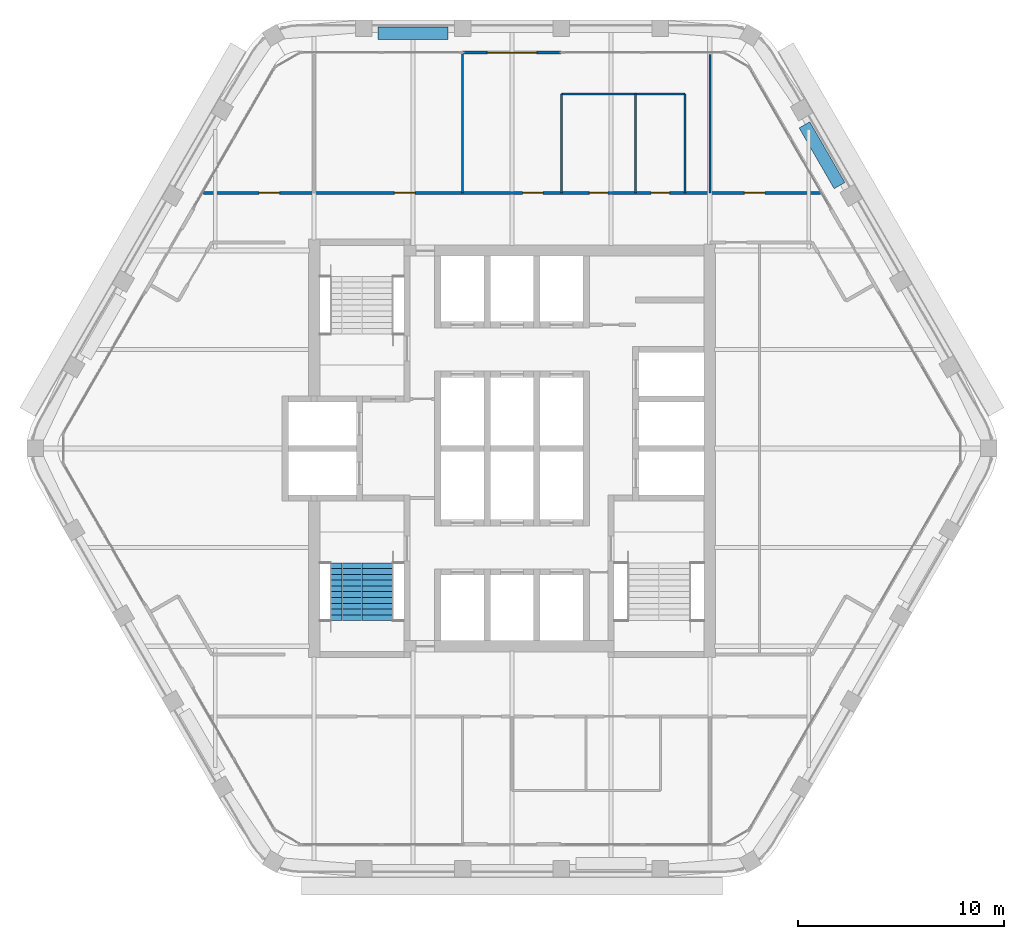
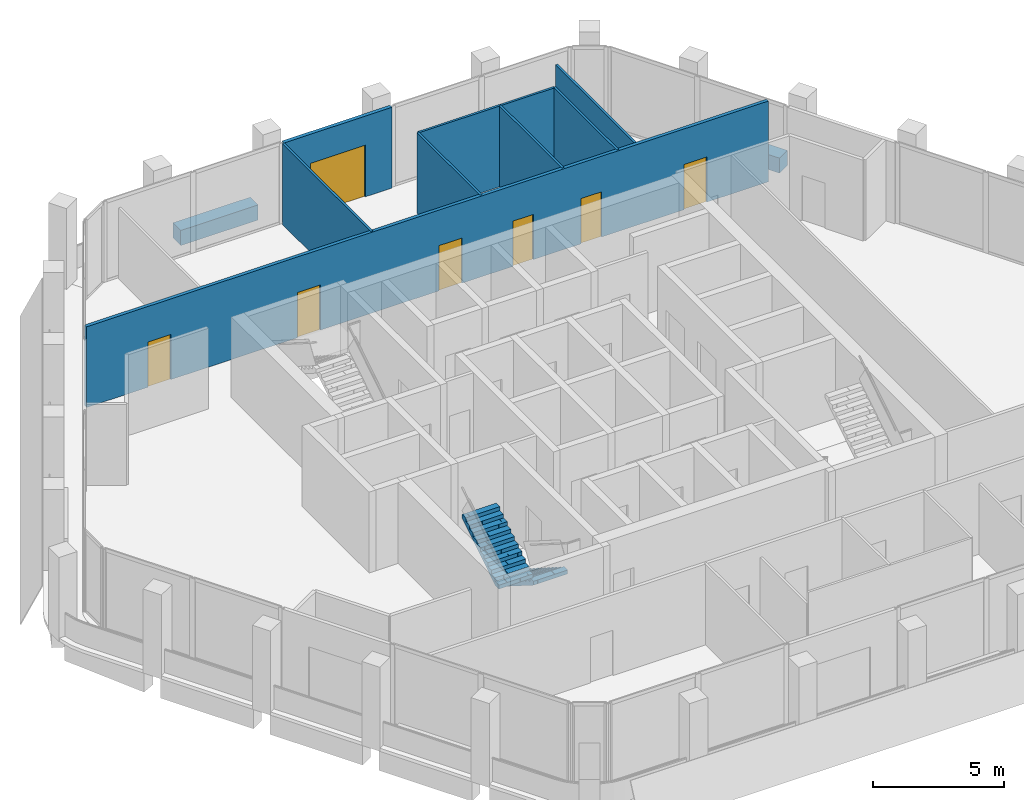
# One storey, part 10 of 13: 10 walls, 7 doors, 2 stair flights, 7 openings, 1 element without a shape of its own.
"""IFC4 building model written with IfcOpenShell, lengths in metres."""

from ifc_helpers import new_model, si_unit, direction, frame, frame_2d, origin, place, context, subcontext, project, spatial, polyline, rectangle, outline, extrude, material, layer, layer_set, type_object, element, fill, aggregate, save


model = new_model("IFC4")

# Units and contexts
model_context = context("Model", 3, precision=1e-05, world=origin(), true_north=direction((0.0, 1.0)))
body_context = subcontext(model_context, "Body", "Model", "MODEL_VIEW")
ifc_project = project(units=[si_unit("LENGTHUNIT", "METRE"), si_unit("AREAUNIT", "SQUARE_METRE"), si_unit("VOLUMEUNIT", "CUBIC_METRE"), si_unit("PLANEANGLEUNIT", "RADIAN"), si_unit("MASSUNIT", "GRAM", prefix="KILO")], contexts=[model_context])

# Site, building, storey
site_placement = place(None, origin())
site = spatial("IfcSite", under=ifc_project, at=site_placement, CompositionType="ELEMENT")
building_placement = place(site_placement, origin())
building = spatial("IfcBuilding", under=site, at=building_placement, Name="Kolab Exchange Tower", CompositionType="ELEMENT")
storey_placement = place(building_placement, frame((0.0, 0.0, 257.89990234375)))
storey = spatial("IfcBuildingStorey", under=building, at=storey_placement, Name="L57", CompositionType="ELEMENT", Elevation=257.89990234375)

# Wall, opening, door
ifc_material_1 = material(Name="Aluminium EN AW-6063 T6", Category="aluminium")
ifc_layer_1 = layer(ifc_material_1, 0.159912109375)
ifc_layer_set_1 = layer_set([ifc_layer_1], Name="Aluminium EN AW-6063 T6")
wall_type_1 = type_object("IfcWallType", Name="DOOR SURROUND WALL 160 ALUMINIUM FRAMED", PredefinedType="PARTITIONING", material=ifc_layer_set_1)
wall_1_placement = place(storey_placement, frame((-2.3701171875, 19.20458984375, 0.0), z_axis=(0.0, 0.0, 1.0), x_axis=(1.0, 0.0, 0.0)))
wall_1 = element("IfcWall", 1, at=wall_1_placement, inside=storey, type_object=wall_type_1, Name="Door surround wall", PredefinedType="PARTITIONING", context=body_context, shape_type="SweptSolid", body=[
    extrude(rectangle(XDim=4.740234375, YDim=0.159912109375, at=frame_2d((2.3701171875, 0.0))), origin(), (0.0, 0.0, 1.0), 3.75),
])
opening_1_placement = place(wall_1_placement, frame((1.169921875, 0.0, 0.0)))
opening_1 = element("IfcOpeningElement", 2, at=opening_1_placement, cuts=wall_1, Name="Opening GD1-089", PredefinedType="OPENING", context=body_context, shape_type="SweptSolid", body=[
    extrude(rectangle(XDim=2.39990234375, YDim=2.39990234375, at=frame_2d((1.199951171875, 1.199951171875))), frame((0.0, 0.08984375, 0.0), z_axis=(0.0, -1.0, 0.0), x_axis=(1.0, 0.0, 0.0)), (0.0, 0.0, 1.0), 0.179931640625),
])
door_type_1 = type_object("IfcDoorType", Name="LOGGIA SLIDING GLASS DOOR 2400 X 2400", OperationType="DOUBLE_DOOR_SINGLE_SWING", PredefinedType="DOOR", material=ifc_material_1)
door_1_placement = place(opening_1_placement, origin())
door_1 = element("IfcDoor", 3, at=door_1_placement, inside=storey, type_object=door_type_1, Name="Loggia door", OperationType="DOUBLE_DOOR_SLIDING", OverallHeight=2.39990234375, OverallWidth=2.39990234375, PredefinedType="DOOR", context=body_context, shape_type="SweptSolid", body=[
    extrude(rectangle(XDim=2.39990234375, YDim=2.39990234375, at=frame_2d((1.199951171875, 1.199951171875))), frame((0.0, 0.02490234375, 0.0), z_axis=(0.0, -1.0, 0.0), x_axis=(1.0, 0.0, 0.0)), (0.0, 0.0, 1.0), 0.050048828125),
])
fill(opening_1, door_1)

# Walls
ifc_material_2 = material(Name="Gypsum board", Category="gypsum")
ifc_layer_2 = layer(ifc_material_2, 0.10009765625)
ifc_layer_set_2 = layer_set([ifc_layer_2], Name="Gypsum board")
wall_type_2 = type_object("IfcWallType", Name="PARTITION 100", PredefinedType="PARTITIONING", material=ifc_layer_set_2)
wall_2_placement = place(storey_placement, frame((9.60009765625, 12.39990234375, 0.0), z_axis=(0.0, 0.0, 1.0), x_axis=(0.0, 1.0, 0.0)))
element("IfcWall", 4, at=wall_2_placement, inside=storey, type_object=wall_type_2, Name="Partition 002", PredefinedType="PARTITIONING", context=body_context, shape_type="SweptSolid", body=[
    extrude(rectangle(XDim=6.714599609375, YDim=0.10009765625, at=frame_2d((3.357421875, 0.0))), origin(), (0.0, 0.0, 1.0), 3.217041015625),
])
for number, where, z_axis, x_axis, name in (
    (5, (8.39990234375, 12.39990234375, 0.0), (0.0, 0.0, 1.0), (0.0, 1.0, 0.0), "Partition 003"),
    (6, (6.0, 12.39990234375, 0.0), (0.0, 0.0, 1.0), (0.0, 1.0, 0.0), "Partition 005"),
    (7, (2.39990234375, 12.39990234375, 0.0), (0.0, 0.0, 1.0), (0.0, 1.0, 0.0), "Partition 007"),
):
    element("IfcWall", number, at=place(storey_placement, frame(where, z_axis=z_axis, x_axis=x_axis)), inside=storey, type_object=wall_type_2, Name=name, PredefinedType="PARTITIONING", context=body_context, shape_type="SweptSolid", body=[
        extrude(rectangle(XDim=4.800048828125, YDim=0.10009765625, at=frame_2d((2.39990234375, 0.0))), origin(), (0.0, 0.0, 1.0), 3.75),
    ])
wall_3_placement = place(storey_placement, frame((-2.39990234375, 12.39990234375, 0.0), z_axis=(0.0, 0.0, 1.0), x_axis=(0.0, 1.0, 0.0)))
element("IfcWall", 8, at=wall_3_placement, inside=storey, type_object=wall_type_2, Name="Partition 010", PredefinedType="PARTITIONING", context=body_context, shape_type="SweptSolid", body=[
    extrude(rectangle(XDim=6.724609375, YDim=0.10009765625, at=frame_2d((3.3623046875, 0.0))), origin(), (0.0, 0.0, 1.0), 3.75),
])
wall_4_placement = place(storey_placement, frame((2.39990234375, 17.199951171875, 0.0), z_axis=(0.0, 0.0, 1.0), x_axis=(1.0, 0.0, 0.0)))
element("IfcWall", 9, at=wall_4_placement, inside=storey, type_object=wall_type_2, Name="Partition 029", PredefinedType="PARTITIONING", context=body_context, shape_type="SweptSolid", body=[
    extrude(rectangle(XDim=6.0, YDim=0.10009765625, at=frame_2d((3.0, 0.0))), origin(), (0.0, 0.0, 1.0), 3.75),
])

# Wall, openings, doors
ifc_layer_3 = layer(ifc_material_2, 0.14990234375)
ifc_layer_set_3 = layer_set([ifc_layer_3], Name="Gypsum board")
wall_type_3 = type_object("IfcWallType", Name="PARTITION 150 FIRE-RATED", PredefinedType="PARTITIONING", material=ifc_layer_set_3)
wall_5_placement = place(storey_placement, frame((-14.97021484375, 12.39990234375, 0.0), z_axis=(0.0, 0.0, 1.0), x_axis=(1.0, 0.0, 0.0)))
wall_5 = element("IfcWall", 10, at=wall_5_placement, inside=storey, type_object=wall_type_3, Name="Partition 028", PredefinedType="PARTITIONING", context=body_context, shape_type="SweptSolid", body=[
    extrude(rectangle(XDim=29.9404296875, YDim=0.14990234375, at=frame_2d((14.97021484375, 0.0))), origin(), (0.0, 0.0, 1.0), 3.75),
])
opening_2_placement = place(wall_5_placement, frame((18.72021484375, 0.0, 0.0)))
opening_2 = element("IfcOpeningElement", 11, at=opening_2_placement, cuts=wall_5, Name="Opening D3-084", PredefinedType="OPENING", context=body_context, shape_type="SweptSolid", body=[
    extrude(rectangle(XDim=0.89990234375, YDim=2.10009765625, at=frame_2d((0.449951171875, 1.050048828125))), frame((0.0, 0.0849609375, 0.0), z_axis=(0.0, -1.0, 0.0), x_axis=(1.0, 0.0, 0.0)), (0.0, 0.0, 1.0), 0.169921875),
])
opening_3_placement = place(wall_5_placement, frame((21.72021484375, 0.0, 0.0)))
opening_3 = element("IfcOpeningElement", 12, at=opening_3_placement, cuts=wall_5, Name="Opening D3-085", PredefinedType="OPENING", context=body_context, shape_type="SweptSolid", body=[
    extrude(rectangle(XDim=0.89990234375, YDim=2.10009765625, at=frame_2d((0.449951171875, 1.050048828125))), frame((0.0, 0.0849609375, 0.0), z_axis=(0.0, -1.0, 0.0), x_axis=(1.0, 0.0, 0.0)), (0.0, 0.0, 1.0), 0.169921875),
])
opening_4_placement = place(wall_5_placement, frame((2.7021484375, 0.0, 0.0)))
opening_4 = element("IfcOpeningElement", 13, at=opening_4_placement, cuts=wall_5, Name="Opening D1-703", PredefinedType="OPENING", context=body_context, shape_type="SweptSolid", body=[
    extrude(rectangle(XDim=1.0, YDim=2.10009765625, at=frame_2d((0.5, 1.050048828125))), frame((0.0, 0.0849609375, 0.0), z_axis=(0.0, -1.0, 0.0), x_axis=(1.0, 0.0, 0.0)), (0.0, 0.0, 1.0), 0.169921875),
])
opening_5_placement = place(wall_5_placement, frame((9.26513671875, 0.0, 0.0)))
opening_5 = element("IfcOpeningElement", 14, at=opening_5_placement, cuts=wall_5, Name="Opening D1-704", PredefinedType="OPENING", context=body_context, shape_type="SweptSolid", body=[
    extrude(rectangle(XDim=1.0, YDim=2.10009765625, at=frame_2d((0.5, 1.050048828125))), frame((0.0, 0.0849609375, 0.0), z_axis=(0.0, -1.0, 0.0), x_axis=(1.0, 0.0, 0.0)), (0.0, 0.0, 1.0), 0.169921875),
])
opening_6_placement = place(wall_5_placement, frame((15.485107421875, 0.0, 0.0)))
opening_6 = element("IfcOpeningElement", 15, at=opening_6_placement, cuts=wall_5, Name="Opening D1-705", PredefinedType="OPENING", context=body_context, shape_type="SweptSolid", body=[
    extrude(rectangle(XDim=1.0, YDim=2.10009765625, at=frame_2d((0.5, 1.050048828125))), frame((0.0, 0.0849609375, 0.0), z_axis=(0.0, -1.0, 0.0), x_axis=(1.0, 0.0, 0.0)), (0.0, 0.0, 1.0), 0.169921875),
])
opening_7_placement = place(wall_5_placement, frame((26.23828125, 0.0, 0.0)))
opening_7 = element("IfcOpeningElement", 16, at=opening_7_placement, cuts=wall_5, Name="Opening D1-706", PredefinedType="OPENING", context=body_context, shape_type="SweptSolid", body=[
    extrude(rectangle(XDim=1.0, YDim=2.10009765625, at=frame_2d((0.5, 1.050048828125))), frame((0.0, 0.0849609375, 0.0), z_axis=(0.0, -1.0, 0.0), x_axis=(1.0, 0.0, 0.0)), (0.0, 0.0, 1.0), 0.169921875),
])
ifc_material_3 = material(Name="Steel S235", Category="steel")
door_type_2 = type_object("IfcDoorType", Name="FLUSH DOOR 1000 FD60", OperationType="SINGLE_SWING_LEFT", PredefinedType="DOOR", material=ifc_material_3)
door_2_placement = place(opening_4_placement, origin())
door_2 = element("IfcDoor", 17, at=door_2_placement, inside=storey, type_object=door_type_2, Name="Door L57-031", OperationType="SINGLE_SWING_RIGHT", OverallHeight=2.10009765625, OverallWidth=1.0, PredefinedType="DOOR", context=body_context, shape_type="SweptSolid", body=[
    extrude(rectangle(XDim=1.0, YDim=2.10009765625, at=frame_2d((0.5, 1.050048828125))), frame((0.0, 0.02490234375, 0.0), z_axis=(0.0, -1.0, 0.0), x_axis=(1.0, 0.0, 0.0)), (0.0, 0.0, 1.0), 0.050048828125),
])
fill(opening_4, door_2)
door_3_placement = place(opening_5_placement, origin())
door_3 = element("IfcDoor", 18, at=door_3_placement, inside=storey, type_object=door_type_2, Name="Door L57-032", OperationType="SINGLE_SWING_RIGHT", OverallHeight=2.10009765625, OverallWidth=1.0, PredefinedType="DOOR", context=body_context, shape_type="SweptSolid", body=[
    extrude(rectangle(XDim=1.0, YDim=2.10009765625, at=frame_2d((0.5, 1.050048828125))), frame((0.0, 0.02490234375, 0.0), z_axis=(0.0, -1.0, 0.0), x_axis=(1.0, 0.0, 0.0)), (0.0, 0.0, 1.0), 0.050048828125),
])
fill(opening_5, door_3)
door_4_placement = place(opening_6_placement, origin())
door_4 = element("IfcDoor", 19, at=door_4_placement, inside=storey, type_object=door_type_2, Name="Door L57-033", OperationType="SINGLE_SWING_RIGHT", OverallHeight=2.10009765625, OverallWidth=1.0, PredefinedType="DOOR", context=body_context, shape_type="SweptSolid", body=[
    extrude(rectangle(XDim=1.0, YDim=2.10009765625, at=frame_2d((0.5, 1.050048828125))), frame((0.0, 0.02490234375, 0.0), z_axis=(0.0, -1.0, 0.0), x_axis=(1.0, 0.0, 0.0)), (0.0, 0.0, 1.0), 0.050048828125),
])
fill(opening_6, door_4)
door_5_placement = place(opening_7_placement, origin())
door_5 = element("IfcDoor", 20, at=door_5_placement, inside=storey, type_object=door_type_2, Name="Door L57-034", OperationType="SINGLE_SWING_LEFT", OverallHeight=2.10009765625, OverallWidth=1.0, PredefinedType="DOOR", context=body_context, shape_type="SweptSolid", body=[
    extrude(rectangle(XDim=1.0, YDim=2.10009765625, at=frame_2d((0.5, 1.050048828125))), frame((0.0, 0.02490234375, 0.0), z_axis=(0.0, -1.0, 0.0), x_axis=(1.0, 0.0, 0.0)), (0.0, 0.0, 1.0), 0.050048828125),
])
fill(opening_7, door_5)
door_type_3 = type_object("IfcDoorType", Name="FLUSH DOOR 900 FD60", OperationType="SINGLE_SWING_LEFT", PredefinedType="DOOR", material=ifc_material_3)
door_6_placement = place(opening_2_placement, origin())
door_6 = element("IfcDoor", 21, at=door_6_placement, inside=storey, type_object=door_type_3, Name="Door L57-029", OperationType="SINGLE_SWING_LEFT", OverallHeight=2.10009765625, OverallWidth=0.89990234375, PredefinedType="DOOR", context=body_context, shape_type="SweptSolid", body=[
    extrude(rectangle(XDim=0.89990234375, YDim=2.10009765625, at=frame_2d((0.449951171875, 1.050048828125))), frame((0.0, 0.02490234375, 0.0), z_axis=(0.0, -1.0, 0.0), x_axis=(1.0, 0.0, 0.0)), (0.0, 0.0, 1.0), 0.050048828125),
])
fill(opening_2, door_6)
door_7_placement = place(opening_3_placement, origin())
door_7 = element("IfcDoor", 22, at=door_7_placement, inside=storey, type_object=door_type_3, Name="Door L57-030", OperationType="SINGLE_SWING_LEFT", OverallHeight=2.10009765625, OverallWidth=0.89990234375, PredefinedType="DOOR", context=body_context, shape_type="SweptSolid", body=[
    extrude(rectangle(XDim=0.89990234375, YDim=2.10009765625, at=frame_2d((0.449951171875, 1.050048828125))), frame((0.0, 0.02490234375, 0.0), z_axis=(0.0, -1.0, 0.0), x_axis=(1.0, 0.0, 0.0)), (0.0, 0.0, 1.0), 0.050048828125),
])
fill(opening_3, door_7)

# Walls
ifc_material_4 = material(Name="Granite facing", Category="masonry")
ifc_layer_4 = layer(ifc_material_4, 0.0400390625)
ifc_material_5 = material(Name="Concrete C40/50 precast", Category="concrete")
ifc_layer_5 = layer(ifc_material_5, 0.56005859375)
ifc_layer_set_4 = layer_set([ifc_layer_4, ifc_layer_5], Name="Concrete C40/50 precast")
wall_type_4 = type_object("IfcWallType", Name="PLANTER BOX 600 X 700 SOIL DEPTH 550", PredefinedType="USERDEFINED", material=ifc_layer_set_4)
wall_6_placement = place(storey_placement, frame((-6.5, 20.134521484375, 0.0), z_axis=(0.0, 0.0, 1.0), x_axis=(1.0, 0.0, 0.0)))
element("IfcWall", 23, at=wall_6_placement, inside=storey, type_object=wall_type_4, Name="Planter", ObjectType="PLANTER", PredefinedType="USERDEFINED", context=body_context, shape_type="SweptSolid", body=[
    extrude(rectangle(XDim=3.39990234375, YDim=0.60009765625, at=frame_2d((1.699951171875, 0.0))), origin(), (0.0, 0.0, 1.0), 0.7001953125),
])
wall_7_placement = place(storey_placement, frame((14.18701171875, 15.696533203125, 0.0), z_axis=(0.0, 0.0, 1.0), x_axis=(0.499977295307, -0.866038511948, 0.0)))
element("IfcWall", 24, at=wall_7_placement, inside=storey, type_object=wall_type_4, Name="Planter", ObjectType="PLANTER", PredefinedType="USERDEFINED", context=body_context, shape_type="SweptSolid", body=[
    extrude(rectangle(XDim=3.400146484375, YDim=0.60009765625, at=frame_2d((1.7001953125, 0.0))), origin(), (0.0, 0.0, 1.0), 0.7001953125),
])

# Stair, stair flights
ifc_material_6 = material(Name="Concrete C50/60", Category="concrete")
stair_type = type_object("IfcStairType", Name="STAIR ST3 RISER 177.3", PredefinedType="HALF_TURN_STAIR", material=ifc_material_6)
stair_placement = place(storey_placement, origin())
stair = element("IfcStair", 25, at=stair_placement, inside=storey, type_object=stair_type, Name="Stair 3", PredefinedType="HALF_TURN_STAIR")
stair_flight_type = type_object("IfcStairFlightType", Name="STAIR FLIGHT 1500 RISER 177.3", PredefinedType="STRAIGHT", material=ifc_material_6)
stair_flight_1_placement = place(storey_placement, frame((-6.527587890625, -5.550048828125, 0.0), z_axis=(0.0, 0.0, 1.0), x_axis=(0.0, -1.0, 0.0)))
stair_flight_1 = element("IfcStairFlight", 26, at=stair_flight_1_placement, type_object=stair_flight_type, Name="ST3 flight 1", NumberOfRisers=11, NumberOfTreads=10, PredefinedType="STRAIGHT", RiserHeight=0.177272727, TreadLength=0.28, context=body_context, shape_type="SweptSolid", body=[
    extrude(outline(polyline([(0.0, 0.0), (0.0, 0.17724609375), (0.280029296875, 0.17724609375), (0.280029296875, 0.3544921875), (0.56005859375, 0.3544921875), (0.56005859375, 0.53173828125), (0.840087890625, 0.53173828125), (0.840087890625, 0.708984375), (1.1201171875, 0.708984375), (1.1201171875, 0.886474609375), (1.39990234375, 0.886474609375), (1.39990234375, 1.063720703125), (1.679931640625, 1.063720703125), (1.679931640625, 1.240966796875), (1.9599609375, 1.240966796875), (1.9599609375, 1.418212890625), (2.239990234375, 1.418212890625), (2.239990234375, 1.595458984375), (2.52001953125, 1.595458984375), (2.52001953125, 1.772705078125), (2.800048828125, 1.772705078125), (2.800048828125, 1.949951171875), (2.800048828125, 1.59521484375), (0.2802734375, 0.0), (0.0, 0.0)])), frame((0.0, 0.75, 0.0), z_axis=(0.0, -1.0, 0.0), x_axis=(1.0, 0.0, 0.0)), (0.0, 0.0, 1.0), 0.185791015625),
    extrude(outline(polyline([(0.0, 0.0), (0.0, 0.17724609375), (0.280029296875, 0.17724609375), (0.280029296875, 0.3544921875), (0.56005859375, 0.3544921875), (0.56005859375, 0.53173828125), (0.840087890625, 0.53173828125), (0.840087890625, 0.708984375), (1.1201171875, 0.708984375), (1.1201171875, 0.886474609375), (1.39990234375, 0.886474609375), (1.39990234375, 1.063720703125), (1.679931640625, 1.063720703125), (1.679931640625, 1.240966796875), (1.9599609375, 1.240966796875), (1.9599609375, 1.418212890625), (2.239990234375, 1.418212890625), (2.239990234375, 1.595458984375), (2.52001953125, 1.595458984375), (2.52001953125, 1.772705078125), (2.800048828125, 1.772705078125), (2.800048828125, 1.949951171875), (2.800048828125, 1.59521484375), (0.2802734375, 0.0), (0.0, 0.0)])), frame((0.0, 0.562255859375, 0.0), z_axis=(0.0, -1.0, 0.0), x_axis=(1.0, 0.0, 0.0)), (0.0, 0.0, 1.0), 0.185791015625),
    extrude(outline(polyline([(0.0, 0.0), (0.0, 0.17724609375), (0.280029296875, 0.17724609375), (0.280029296875, 0.3544921875), (0.56005859375, 0.3544921875), (0.56005859375, 0.53173828125), (0.840087890625, 0.53173828125), (0.840087890625, 0.708984375), (1.1201171875, 0.708984375), (1.1201171875, 0.886474609375), (1.39990234375, 0.886474609375), (1.39990234375, 1.063720703125), (1.679931640625, 1.063720703125), (1.679931640625, 1.240966796875), (1.9599609375, 1.240966796875), (1.9599609375, 1.418212890625), (2.239990234375, 1.418212890625), (2.239990234375, 1.595458984375), (2.52001953125, 1.595458984375), (2.52001953125, 1.772705078125), (2.800048828125, 1.772705078125), (2.800048828125, 1.949951171875), (2.800048828125, 1.59521484375), (0.2802734375, 0.0), (0.0, 0.0)])), frame((0.0, 0.37451171875, 0.0), z_axis=(0.0, -1.0, 0.0), x_axis=(1.0, 0.0, 0.0)), (0.0, 0.0, 1.0), 0.185791015625),
    extrude(outline(polyline([(0.0, 0.0), (0.0, 0.17724609375), (0.280029296875, 0.17724609375), (0.280029296875, 0.3544921875), (0.56005859375, 0.3544921875), (0.56005859375, 0.53173828125), (0.840087890625, 0.53173828125), (0.840087890625, 0.708984375), (1.1201171875, 0.708984375), (1.1201171875, 0.886474609375), (1.39990234375, 0.886474609375), (1.39990234375, 1.063720703125), (1.679931640625, 1.063720703125), (1.679931640625, 1.240966796875), (1.9599609375, 1.240966796875), (1.9599609375, 1.418212890625), (2.239990234375, 1.418212890625), (2.239990234375, 1.595458984375), (2.52001953125, 1.595458984375), (2.52001953125, 1.772705078125), (2.800048828125, 1.772705078125), (2.800048828125, 1.949951171875), (2.800048828125, 1.59521484375), (0.2802734375, 0.0), (0.0, 0.0)])), frame((0.0, 0.186767578125, 0.0), z_axis=(0.0, -1.0, 0.0), x_axis=(1.0, 0.0, 0.0)), (0.0, 0.0, 1.0), 0.185791015625),
    extrude(outline(polyline([(0.0, 0.0), (0.0, 0.17724609375), (0.280029296875, 0.17724609375), (0.280029296875, 0.3544921875), (0.56005859375, 0.3544921875), (0.56005859375, 0.53173828125), (0.840087890625, 0.53173828125), (0.840087890625, 0.708984375), (1.1201171875, 0.708984375), (1.1201171875, 0.886474609375), (1.39990234375, 0.886474609375), (1.39990234375, 1.063720703125), (1.679931640625, 1.063720703125), (1.679931640625, 1.240966796875), (1.9599609375, 1.240966796875), (1.9599609375, 1.418212890625), (2.239990234375, 1.418212890625), (2.239990234375, 1.595458984375), (2.52001953125, 1.595458984375), (2.52001953125, 1.772705078125), (2.800048828125, 1.772705078125), (2.800048828125, 1.949951171875), (2.800048828125, 1.59521484375), (0.2802734375, 0.0), (0.0, 0.0)])), frame((0.0, -0.0009765625, 0.0), z_axis=(0.0, -1.0, 0.0), x_axis=(1.0, 0.0, 0.0)), (0.0, 0.0, 1.0), 0.185791015625),
    extrude(outline(polyline([(0.0, 0.0), (0.0, 0.17724609375), (0.280029296875, 0.17724609375), (0.280029296875, 0.3544921875), (0.56005859375, 0.3544921875), (0.56005859375, 0.53173828125), (0.840087890625, 0.53173828125), (0.840087890625, 0.708984375), (1.1201171875, 0.708984375), (1.1201171875, 0.886474609375), (1.39990234375, 0.886474609375), (1.39990234375, 1.063720703125), (1.679931640625, 1.063720703125), (1.679931640625, 1.240966796875), (1.9599609375, 1.240966796875), (1.9599609375, 1.418212890625), (2.239990234375, 1.418212890625), (2.239990234375, 1.595458984375), (2.52001953125, 1.595458984375), (2.52001953125, 1.772705078125), (2.800048828125, 1.772705078125), (2.800048828125, 1.949951171875), (2.800048828125, 1.59521484375), (0.2802734375, 0.0), (0.0, 0.0)])), frame((0.0, -0.188720703125, 0.0), z_axis=(0.0, -1.0, 0.0), x_axis=(1.0, 0.0, 0.0)), (0.0, 0.0, 1.0), 0.185791015625),
    extrude(outline(polyline([(0.0, 0.0), (0.0, 0.17724609375), (0.280029296875, 0.17724609375), (0.280029296875, 0.3544921875), (0.56005859375, 0.3544921875), (0.56005859375, 0.53173828125), (0.840087890625, 0.53173828125), (0.840087890625, 0.708984375), (1.1201171875, 0.708984375), (1.1201171875, 0.886474609375), (1.39990234375, 0.886474609375), (1.39990234375, 1.063720703125), (1.679931640625, 1.063720703125), (1.679931640625, 1.240966796875), (1.9599609375, 1.240966796875), (1.9599609375, 1.418212890625), (2.239990234375, 1.418212890625), (2.239990234375, 1.595458984375), (2.52001953125, 1.595458984375), (2.52001953125, 1.772705078125), (2.800048828125, 1.772705078125), (2.800048828125, 1.949951171875), (2.800048828125, 1.59521484375), (0.2802734375, 0.0), (0.0, 0.0)])), frame((0.0, -0.37646484375, 0.0), z_axis=(0.0, -1.0, 0.0), x_axis=(1.0, 0.0, 0.0)), (0.0, 0.0, 1.0), 0.185791015625),
    extrude(outline(polyline([(0.0, 0.0), (0.0, 0.17724609375), (0.280029296875, 0.17724609375), (0.280029296875, 0.3544921875), (0.56005859375, 0.3544921875), (0.56005859375, 0.53173828125), (0.840087890625, 0.53173828125), (0.840087890625, 0.708984375), (1.1201171875, 0.708984375), (1.1201171875, 0.886474609375), (1.39990234375, 0.886474609375), (1.39990234375, 1.063720703125), (1.679931640625, 1.063720703125), (1.679931640625, 1.240966796875), (1.9599609375, 1.240966796875), (1.9599609375, 1.418212890625), (2.239990234375, 1.418212890625), (2.239990234375, 1.595458984375), (2.52001953125, 1.595458984375), (2.52001953125, 1.772705078125), (2.800048828125, 1.772705078125), (2.800048828125, 1.949951171875), (2.800048828125, 1.59521484375), (0.2802734375, 0.0), (0.0, 0.0)])), frame((0.0, -0.564208984375, 0.0), z_axis=(0.0, -1.0, 0.0), x_axis=(1.0, 0.0, 0.0)), (0.0, 0.0, 1.0), 0.185791015625),
])
stair_flight_2_placement = place(storey_placement, frame((-8.047607421875, -8.35009765625, 1.9501953125), z_axis=(0.0, 0.0, 1.0), x_axis=(0.0, 1.0, 0.0)))
stair_flight_2 = element("IfcStairFlight", 27, at=stair_flight_2_placement, type_object=stair_flight_type, Name="ST3 flight 2", NumberOfRisers=11, NumberOfTreads=10, PredefinedType="STRAIGHT", RiserHeight=0.177272727, TreadLength=0.28, context=body_context, shape_type="SweptSolid", body=[
    extrude(outline(polyline([(0.0, 0.0), (0.0, 0.17724609375), (0.280029296875, 0.17724609375), (0.280029296875, 0.3544921875), (0.56005859375, 0.3544921875), (0.56005859375, 0.53173828125), (0.840087890625, 0.53173828125), (0.840087890625, 0.708984375), (1.1201171875, 0.708984375), (1.1201171875, 0.886474609375), (1.39990234375, 0.886474609375), (1.39990234375, 1.063720703125), (1.679931640625, 1.063720703125), (1.679931640625, 1.240966796875), (1.9599609375, 1.240966796875), (1.9599609375, 1.418212890625), (2.239990234375, 1.418212890625), (2.239990234375, 1.595458984375), (2.52001953125, 1.595458984375), (2.52001953125, 1.772705078125), (2.800048828125, 1.772705078125), (2.800048828125, 1.949951171875), (2.800048828125, 1.59521484375), (0.2802734375, 0.0), (0.0, 0.0)])), frame((0.0, 0.75, 0.0), z_axis=(0.0, -1.0, 0.0), x_axis=(1.0, 0.0, 0.0)), (0.0, 0.0, 1.0), 0.185791015625),
    extrude(outline(polyline([(0.0, 0.0), (0.0, 0.17724609375), (0.280029296875, 0.17724609375), (0.280029296875, 0.3544921875), (0.56005859375, 0.3544921875), (0.56005859375, 0.53173828125), (0.840087890625, 0.53173828125), (0.840087890625, 0.708984375), (1.1201171875, 0.708984375), (1.1201171875, 0.886474609375), (1.39990234375, 0.886474609375), (1.39990234375, 1.063720703125), (1.679931640625, 1.063720703125), (1.679931640625, 1.240966796875), (1.9599609375, 1.240966796875), (1.9599609375, 1.418212890625), (2.239990234375, 1.418212890625), (2.239990234375, 1.595458984375), (2.52001953125, 1.595458984375), (2.52001953125, 1.772705078125), (2.800048828125, 1.772705078125), (2.800048828125, 1.949951171875), (2.800048828125, 1.59521484375), (0.2802734375, 0.0), (0.0, 0.0)])), frame((0.0, 0.562255859375, 0.0), z_axis=(0.0, -1.0, 0.0), x_axis=(1.0, 0.0, 0.0)), (0.0, 0.0, 1.0), 0.185791015625),
    extrude(outline(polyline([(0.0, 0.0), (0.0, 0.17724609375), (0.280029296875, 0.17724609375), (0.280029296875, 0.3544921875), (0.56005859375, 0.3544921875), (0.56005859375, 0.53173828125), (0.840087890625, 0.53173828125), (0.840087890625, 0.708984375), (1.1201171875, 0.708984375), (1.1201171875, 0.886474609375), (1.39990234375, 0.886474609375), (1.39990234375, 1.063720703125), (1.679931640625, 1.063720703125), (1.679931640625, 1.240966796875), (1.9599609375, 1.240966796875), (1.9599609375, 1.418212890625), (2.239990234375, 1.418212890625), (2.239990234375, 1.595458984375), (2.52001953125, 1.595458984375), (2.52001953125, 1.772705078125), (2.800048828125, 1.772705078125), (2.800048828125, 1.949951171875), (2.800048828125, 1.59521484375), (0.2802734375, 0.0), (0.0, 0.0)])), frame((0.0, 0.37451171875, 0.0), z_axis=(0.0, -1.0, 0.0), x_axis=(1.0, 0.0, 0.0)), (0.0, 0.0, 1.0), 0.185791015625),
    extrude(outline(polyline([(0.0, 0.0), (0.0, 0.17724609375), (0.280029296875, 0.17724609375), (0.280029296875, 0.3544921875), (0.56005859375, 0.3544921875), (0.56005859375, 0.53173828125), (0.840087890625, 0.53173828125), (0.840087890625, 0.708984375), (1.1201171875, 0.708984375), (1.1201171875, 0.886474609375), (1.39990234375, 0.886474609375), (1.39990234375, 1.063720703125), (1.679931640625, 1.063720703125), (1.679931640625, 1.240966796875), (1.9599609375, 1.240966796875), (1.9599609375, 1.418212890625), (2.239990234375, 1.418212890625), (2.239990234375, 1.595458984375), (2.52001953125, 1.595458984375), (2.52001953125, 1.772705078125), (2.800048828125, 1.772705078125), (2.800048828125, 1.949951171875), (2.800048828125, 1.59521484375), (0.2802734375, 0.0), (0.0, 0.0)])), frame((0.0, 0.186767578125, 0.0), z_axis=(0.0, -1.0, 0.0), x_axis=(1.0, 0.0, 0.0)), (0.0, 0.0, 1.0), 0.185791015625),
    extrude(outline(polyline([(0.0, 0.0), (0.0, 0.17724609375), (0.280029296875, 0.17724609375), (0.280029296875, 0.3544921875), (0.56005859375, 0.3544921875), (0.56005859375, 0.53173828125), (0.840087890625, 0.53173828125), (0.840087890625, 0.708984375), (1.1201171875, 0.708984375), (1.1201171875, 0.886474609375), (1.39990234375, 0.886474609375), (1.39990234375, 1.063720703125), (1.679931640625, 1.063720703125), (1.679931640625, 1.240966796875), (1.9599609375, 1.240966796875), (1.9599609375, 1.418212890625), (2.239990234375, 1.418212890625), (2.239990234375, 1.595458984375), (2.52001953125, 1.595458984375), (2.52001953125, 1.772705078125), (2.800048828125, 1.772705078125), (2.800048828125, 1.949951171875), (2.800048828125, 1.59521484375), (0.2802734375, 0.0), (0.0, 0.0)])), frame((0.0, -0.0009765625, 0.0), z_axis=(0.0, -1.0, 0.0), x_axis=(1.0, 0.0, 0.0)), (0.0, 0.0, 1.0), 0.185791015625),
    extrude(outline(polyline([(0.0, 0.0), (0.0, 0.17724609375), (0.280029296875, 0.17724609375), (0.280029296875, 0.3544921875), (0.56005859375, 0.3544921875), (0.56005859375, 0.53173828125), (0.840087890625, 0.53173828125), (0.840087890625, 0.708984375), (1.1201171875, 0.708984375), (1.1201171875, 0.886474609375), (1.39990234375, 0.886474609375), (1.39990234375, 1.063720703125), (1.679931640625, 1.063720703125), (1.679931640625, 1.240966796875), (1.9599609375, 1.240966796875), (1.9599609375, 1.418212890625), (2.239990234375, 1.418212890625), (2.239990234375, 1.595458984375), (2.52001953125, 1.595458984375), (2.52001953125, 1.772705078125), (2.800048828125, 1.772705078125), (2.800048828125, 1.949951171875), (2.800048828125, 1.59521484375), (0.2802734375, 0.0), (0.0, 0.0)])), frame((0.0, -0.188720703125, 0.0), z_axis=(0.0, -1.0, 0.0), x_axis=(1.0, 0.0, 0.0)), (0.0, 0.0, 1.0), 0.185791015625),
    extrude(outline(polyline([(0.0, 0.0), (0.0, 0.17724609375), (0.280029296875, 0.17724609375), (0.280029296875, 0.3544921875), (0.56005859375, 0.3544921875), (0.56005859375, 0.53173828125), (0.840087890625, 0.53173828125), (0.840087890625, 0.708984375), (1.1201171875, 0.708984375), (1.1201171875, 0.886474609375), (1.39990234375, 0.886474609375), (1.39990234375, 1.063720703125), (1.679931640625, 1.063720703125), (1.679931640625, 1.240966796875), (1.9599609375, 1.240966796875), (1.9599609375, 1.418212890625), (2.239990234375, 1.418212890625), (2.239990234375, 1.595458984375), (2.52001953125, 1.595458984375), (2.52001953125, 1.772705078125), (2.800048828125, 1.772705078125), (2.800048828125, 1.949951171875), (2.800048828125, 1.59521484375), (0.2802734375, 0.0), (0.0, 0.0)])), frame((0.0, -0.37646484375, 0.0), z_axis=(0.0, -1.0, 0.0), x_axis=(1.0, 0.0, 0.0)), (0.0, 0.0, 1.0), 0.185791015625),
    extrude(outline(polyline([(0.0, 0.0), (0.0, 0.17724609375), (0.280029296875, 0.17724609375), (0.280029296875, 0.3544921875), (0.56005859375, 0.3544921875), (0.56005859375, 0.53173828125), (0.840087890625, 0.53173828125), (0.840087890625, 0.708984375), (1.1201171875, 0.708984375), (1.1201171875, 0.886474609375), (1.39990234375, 0.886474609375), (1.39990234375, 1.063720703125), (1.679931640625, 1.063720703125), (1.679931640625, 1.240966796875), (1.9599609375, 1.240966796875), (1.9599609375, 1.418212890625), (2.239990234375, 1.418212890625), (2.239990234375, 1.595458984375), (2.52001953125, 1.595458984375), (2.52001953125, 1.772705078125), (2.800048828125, 1.772705078125), (2.800048828125, 1.949951171875), (2.800048828125, 1.59521484375), (0.2802734375, 0.0), (0.0, 0.0)])), frame((0.0, -0.564208984375, 0.0), z_axis=(0.0, -1.0, 0.0), x_axis=(1.0, 0.0, 0.0)), (0.0, 0.0, 1.0), 0.185791015625),
])
aggregate(stair, [stair_flight_1, stair_flight_2])

save(model, "model.ifc")
